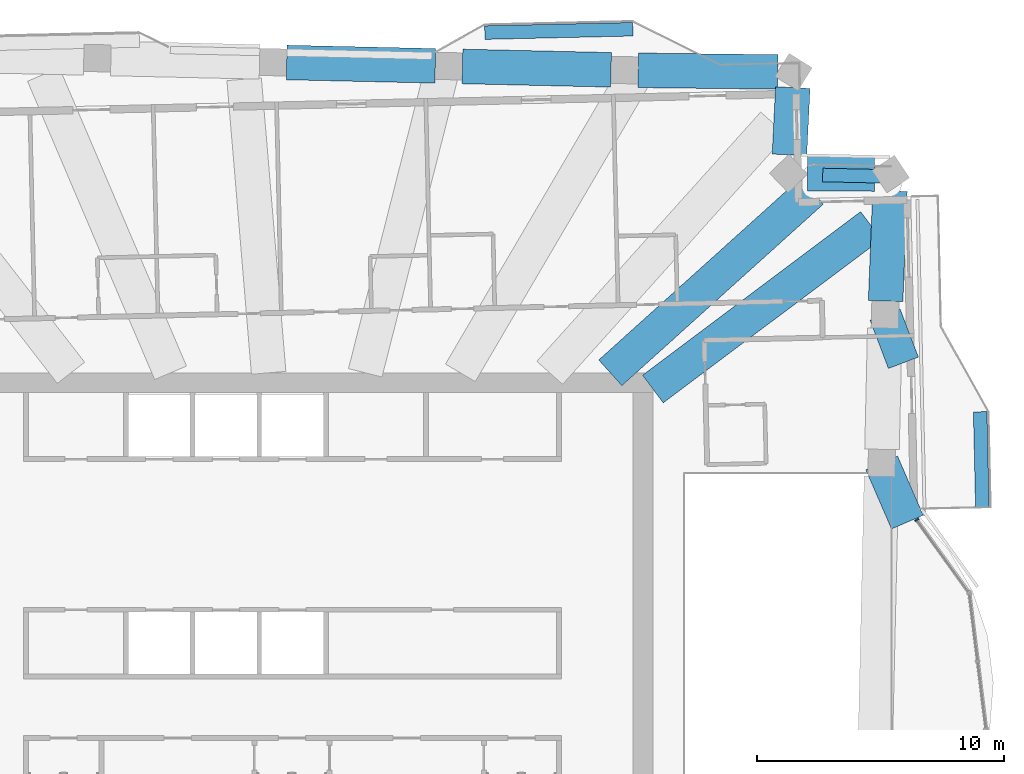
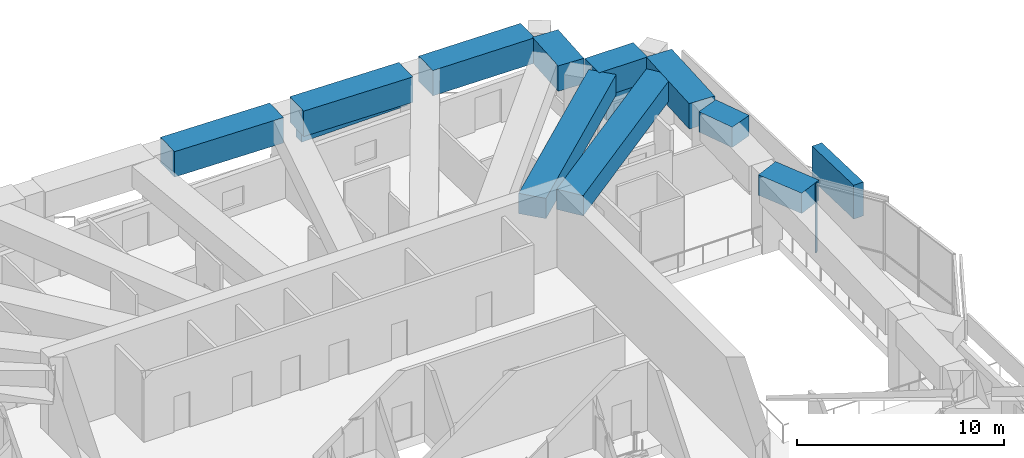
# One storey, part 7 of 19: 10 beams, 4 members, 1 element without a shape of its own.
"""IFC4 building model written with IfcOpenShell, lengths in metres."""

from ifc_helpers import new_model, si_unit, direction, frame, origin, origin_2d, place, context, subcontext, project, spatial, rectangle, extrude, material, material_profile, profile_set, type_object, element, aggregate, save


model = new_model("IFC4")

# Units and contexts
model_context = context("Model", 3, precision=1e-05, world=origin(), true_north=direction((0.0, 1.0)))
body_context = subcontext(model_context, "Body", "Model", "MODEL_VIEW")
ifc_project = project(units=[si_unit("LENGTHUNIT", "METRE"), si_unit("AREAUNIT", "SQUARE_METRE"), si_unit("VOLUMEUNIT", "CUBIC_METRE"), si_unit("PLANEANGLEUNIT", "RADIAN"), si_unit("MASSUNIT", "GRAM", prefix="KILO")], contexts=[model_context])

# Site, building, storey
site_placement = place(None, origin())
site = spatial("IfcSite", under=ifc_project, at=site_placement, CompositionType="ELEMENT")
building_placement = place(site_placement, origin())
building = spatial("IfcBuilding", under=site, at=building_placement, Name="Mangrove Gate Tower", CompositionType="ELEMENT")
storey_placement = place(building_placement, frame((0.0, 0.0, 226.5)))
storey = spatial("IfcBuildingStorey", under=building, at=storey_placement, Name="L57", CompositionType="ELEMENT", Elevation=226.5)

# Members
ifc_material_1 = material(Name="Planting on aluminium trellis", Category="aluminium")
ifc_material_profile_1 = material_profile(ifc_material_1, rectangle(XDim=0.550048828125, YDim=2.0, at=origin_2d()))
ifc_profile_set_1 = profile_set([ifc_material_profile_1], Name="Planting on aluminium trellis")
member_type_1 = type_object("IfcMemberType", Name="Balcony greenery screen 550x2000", PredefinedType="USERDEFINED", material=ifc_profile_set_1)
member_1_placement = place(storey_placement, frame((27.949951171875, 6.14794921875, 1.800048828125), z_axis=(-0.022681332769, 0.999742745482, 0.0), x_axis=(-0.999742745482, -0.022681332769, 0.0)))
element("IfcMember", 1, at=member_1_placement, inside=storey, type_object=member_type_1, Name="GREEN SCREEN L57 E1.1", ObjectType="PLANTING", PredefinedType="USERDEFINED", context=body_context, shape_type="SweptSolid", body=[
    extrude(rectangle(XDim=0.550048828125, YDim=2.0, at=origin_2d()), origin(), (0.0, 0.0, 1.0), 3.875),
])
member_2_placement = place(storey_placement, frame((7.7890625, 25.385009765625, 1.800048828125), z_axis=(0.999743094499, 0.022665943652, 0.0), x_axis=(-0.022665943652, 0.999743094499, 0.0)))
element("IfcMember", 2, at=member_2_placement, inside=storey, type_object=member_type_1, Name="GREEN SCREEN L57 N0.1", ObjectType="PLANTING", PredefinedType="USERDEFINED", context=body_context, shape_type="SweptSolid", body=[
    extrude(rectangle(XDim=0.550048828125, YDim=2.0, at=origin_2d()), origin(), (0.0, 0.0, 1.0), 5.99951171875),
])
ifc_material_2 = material(Name="Planting on aluminium trellis", Category="aluminium")
ifc_material_profile_2 = material_profile(ifc_material_2, rectangle(XDim=0.550048828125, YDim=1.800048828125, at=origin_2d()))
ifc_profile_set_2 = profile_set([ifc_material_profile_2], Name="Planting on aluminium trellis")
member_type_2 = type_object("IfcMemberType", Name="Roof greenery screen 550x1800", PredefinedType="USERDEFINED", material=ifc_profile_set_2)
member_3_placement = place(storey_placement, frame((21.48095703125, 19.615966796875, 1.699951171875), z_axis=(0.999746842804, -0.02250000673, 0.0), x_axis=(0.02250000673, 0.999746842804, 0.0)))
element("IfcMember", 3, at=member_3_placement, inside=storey, type_object=member_type_2, Name="GREEN SCREEN L57 T1.1.6", ObjectType="PLANTING", PredefinedType="USERDEFINED", context=body_context, shape_type="SweptSolid", body=[
    extrude(rectangle(XDim=0.550048828125, YDim=1.800048828125, at=origin_2d()), origin(), (0.0, 0.0, 1.0), 2.3544921875),
])

# Curtain wall, member
ifc_material_3 = material(Name="Aluminium and glass curtain wall", Category="aluminium")
curtain_wall_type = type_object("IfcCurtainWallType", Name="Sky-lounge glazing wall", PredefinedType="NOTDEFINED", material=ifc_material_3)
curtain_wall_placement = place(storey_placement, origin())
curtain_wall = element("IfcCurtainWall", 4, at=curtain_wall_placement, inside=storey, type_object=curtain_wall_type, Name="Sky-lounge glazing E1f3", PredefinedType="NOTDEFINED")
ifc_material_4 = material(Name="Aluminium alloy 6063-T6", Category="aluminium")
ifc_material_profile_3 = material_profile(ifc_material_4, rectangle(XDim=0.06005859375, YDim=0.179931640625, at=origin_2d()))
ifc_profile_set_3 = profile_set([ifc_material_profile_3], Name="Aluminium alloy 6063-T6")
member_type_3 = type_object("IfcMemberType", Name="Sky-lounge glazing mullion 60x180", PredefinedType="MULLION", material=ifc_profile_set_3)
member_4_placement = place(storey_placement, frame((25.29248046875, 5.640625, 0.0), z_axis=(0.0, 0.0, 1.0), x_axis=(-0.583809888654, 0.811890395256, 0.0)))
member_4 = element("IfcMember", 5, at=member_4_placement, type_object=member_type_3, Name="CWK mullion 2", PredefinedType="MULLION", context=body_context, shape_type="SweptSolid", body=[
    extrude(rectangle(XDim=0.06005859375, YDim=0.179931640625, at=origin_2d()), origin(), (0.0, 0.0, 1.0), 4.050048828125),
])
aggregate(curtain_wall, [member_4])

# Beams
ifc_material_5 = material(Name="Concrete C60/75", Category="concrete")
ifc_material_profile_4 = material_profile(ifc_material_5, rectangle(XDim=1.300048828125, YDim=1.199951171875, at=origin_2d()))
ifc_profile_set_4 = profile_set([ifc_material_profile_4], Name="Concrete C60/75")
beam_type_1 = type_object("IfcBeamType", Name="Transfer girder RC 1300x1200 C60/75", PredefinedType="BEAM", material=ifc_profile_set_4)
beam_1_placement = place(storey_placement, frame((24.008056640625, 13.95947265625, 3.449951171875), z_axis=(0.355383131934, -0.934720722749, 0.0), x_axis=(0.934720722749, 0.355383131934, 0.0)))
element("IfcBeam", 6, at=beam_1_placement, inside=storey, type_object=beam_type_1, Name="Transfer edge girder L57 16", PredefinedType="BEAM", context=body_context, shape_type="SweptSolid", body=[
    extrude(rectangle(XDim=1.300048828125, YDim=1.199951171875, at=origin_2d()), origin(), (0.0, 0.0, 1.0), 2.08984375),
])
ifc_material_6 = material(Name="Concrete C60/75", Category="concrete")
ifc_material_profile_5 = material_profile(ifc_material_6, rectangle(XDim=1.39990234375, YDim=1.199951171875, at=origin_2d()))
ifc_profile_set_5 = profile_set([ifc_material_profile_5], Name="Concrete C60/75")
beam_type_2 = type_object("IfcBeamType", Name="Transfer girder RC 1400x1200 C60/75", PredefinedType="BEAM", material=ifc_profile_set_5)
beam_2_placement = place(storey_placement, frame((23.87109375, 7.949462890625, 3.449951171875), z_axis=(0.397499996174, -0.917602175805, 0.0), x_axis=(0.917602175805, 0.397499996174, 0.0)))
element("IfcBeam", 7, at=beam_2_placement, inside=storey, type_object=beam_type_2, Name="Transfer edge girder L57 15", PredefinedType="BEAM", context=body_context, shape_type="SweptSolid", body=[
    extrude(rectangle(XDim=1.39990234375, YDim=1.199951171875, at=origin_2d()), origin(), (0.0, 0.0, 1.0), 2.614501953125),
])
beam_3_placement = place(storey_placement, frame((14.60009765625, 10.944091796875, 3.449951171875), z_axis=(0.800161758174, 0.599784261845, 0.0), x_axis=(-0.599784261845, 0.800161758174, 0.0)))
element("IfcBeam", 8, at=beam_3_placement, inside=storey, type_object=beam_type_2, Name="Transfer girder L57 17", PredefinedType="BEAM", context=body_context, shape_type="SweptSolid", body=[
    extrude(rectangle(XDim=1.39990234375, YDim=1.199951171875, at=origin_2d()), origin(), (0.0, 0.0, 1.0), 11.046142578125),
])
beam_4_placement = place(storey_placement, frame((12.87451171875, 11.60009765625, 3.449951171875), z_axis=(0.742931672104, 0.669367261363, 0.0), x_axis=(-0.669367261363, 0.742931672104, 0.0)))
element("IfcBeam", 9, at=beam_4_placement, inside=storey, type_object=beam_type_2, Name="Transfer girder L57 18", PredefinedType="BEAM", context=body_context, shape_type="SweptSolid", body=[
    extrude(rectangle(XDim=1.39990234375, YDim=1.199951171875, at=origin_2d()), origin(), (0.0, 0.0, 1.0), 10.98828125),
])
ifc_material_7 = material(Name="Concrete C60/75", Category="concrete")
ifc_material_profile_6 = material_profile(ifc_material_7, rectangle(XDim=1.39990234375, YDim=1.5, at=origin_2d()))
ifc_profile_set_6 = profile_set([ifc_material_profile_6], Name="Concrete C60/75")
beam_type_3 = type_object("IfcBeamType", Name="Transfer girder RC 1400x1500 C60/75", PredefinedType="BEAM", material=ifc_profile_set_6)
beam_5_placement = place(storey_placement, frame((24.030029296875, 14.509033203125, 3.300048828125), z_axis=(0.040042213433, 0.999197988961, 0.0), x_axis=(-0.999197988961, 0.040042213433, 0.0)))
element("IfcBeam", 10, at=beam_5_placement, inside=storey, type_object=beam_type_3, Name="Transfer ring girder L57 16", PredefinedType="BEAM", context=body_context, shape_type="SweptSolid", body=[
    extrude(rectangle(XDim=1.39990234375, YDim=1.5, at=origin_2d()), origin(), (0.0, 0.0, 1.0), 4.46923828125),
])
beam_6_placement = place(storey_placement, frame((23.573486328125, 19.656494140625, 3.300048828125), z_axis=(-0.999988617371, 0.004771281664, 0.0), x_axis=(-0.004771281664, -0.999988617371, 0.0)))
element("IfcBeam", 11, at=beam_6_placement, inside=storey, type_object=beam_type_3, Name="Transfer ring girder L57 17", PredefinedType="BEAM", context=body_context, shape_type="SweptSolid", body=[
    extrude(rectangle(XDim=1.39990234375, YDim=1.5, at=origin_2d()), origin(), (0.0, 0.0, 1.0), 2.7119140625),
])
beam_7_placement = place(storey_placement, frame((20.134765625, 20.429931640625, 3.300048828125), z_axis=(0.04918823776, 0.998789526009, 0.0), x_axis=(-0.998789526009, 0.04918823776, 0.0)))
element("IfcBeam", 12, at=beam_7_placement, inside=storey, type_object=beam_type_3, Name="Transfer ring girder L57 18", PredefinedType="BEAM", context=body_context, shape_type="SweptSolid", body=[
    extrude(rectangle(XDim=1.39990234375, YDim=1.5, at=origin_2d()), origin(), (0.0, 0.0, 1.0), 2.72998046875),
])
beam_8_placement = place(storey_placement, frame((19.6572265625, 23.792236328125, 3.300048828125), z_axis=(-0.999932997046, 0.011575898195, 0.0), x_axis=(-0.011575898195, -0.999932997046, 0.0)))
element("IfcBeam", 13, at=beam_8_placement, inside=storey, type_object=beam_type_3, Name="Transfer ring girder L57 19", PredefinedType="BEAM", context=body_context, shape_type="SweptSolid", body=[
    extrude(rectangle(XDim=1.39990234375, YDim=1.5, at=origin_2d()), origin(), (0.0, 0.0, 1.0), 5.65234375),
])
for number, where, z_axis, x_axis, name in (
    (14, (12.905517578125, 23.876708984375, 3.300048828125), (-0.999741479717, 0.022737056396, 0.0), (-0.022737056396, -0.999741479717, 0.0), "Transfer ring girder L57 20"),
    (15, (5.78369140625, 24.03857421875, 3.300048828125), (-0.999744236189, 0.022615530214, 0.0), (-0.022615530214, -0.999744236189, 0.0), "Transfer ring girder L57 21"),
):
    element("IfcBeam", number, at=place(storey_placement, frame(where, z_axis=z_axis, x_axis=x_axis)), inside=storey, type_object=beam_type_3, Name=name, PredefinedType="BEAM", context=body_context, shape_type="SweptSolid", body=[
        extrude(rectangle(XDim=1.39990234375, YDim=1.5, at=origin_2d()), origin(), (0.0, 0.0, 1.0), 6.023681640625),
    ])

save(model, "model.ifc")
